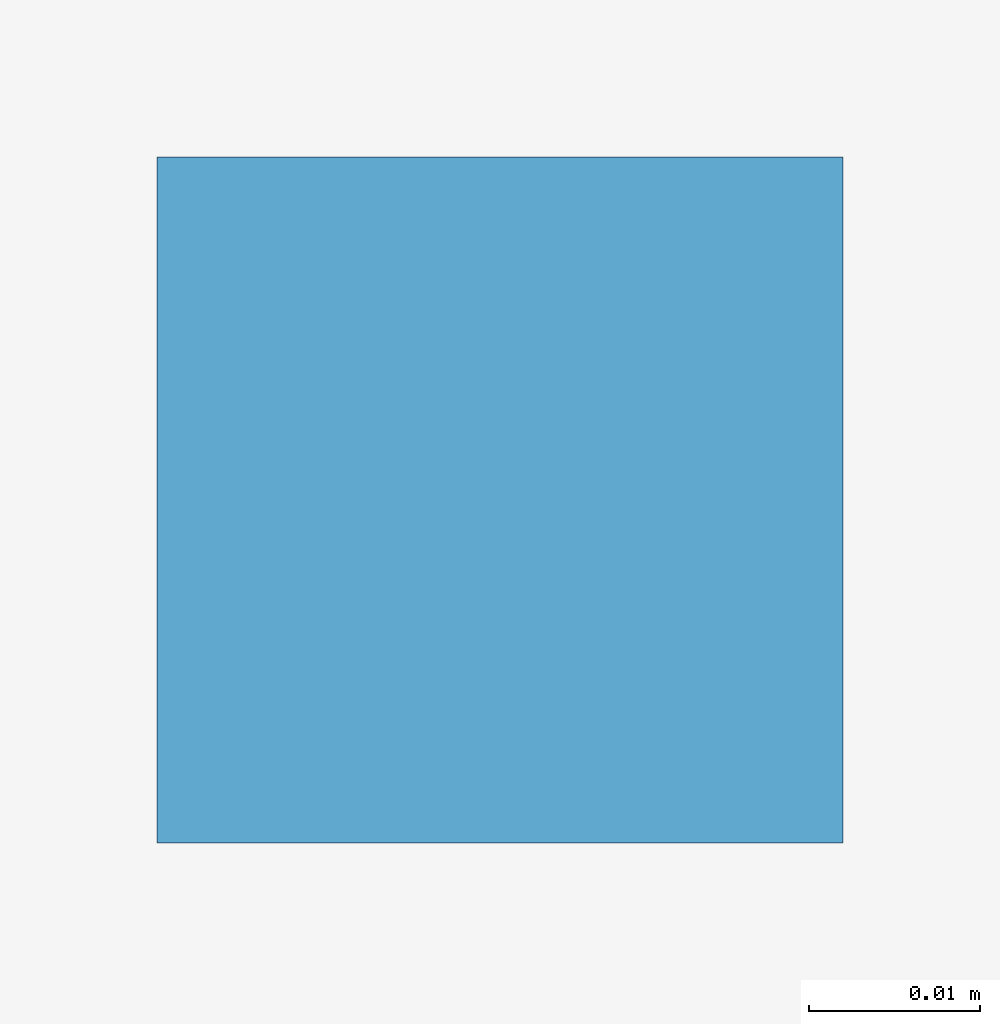
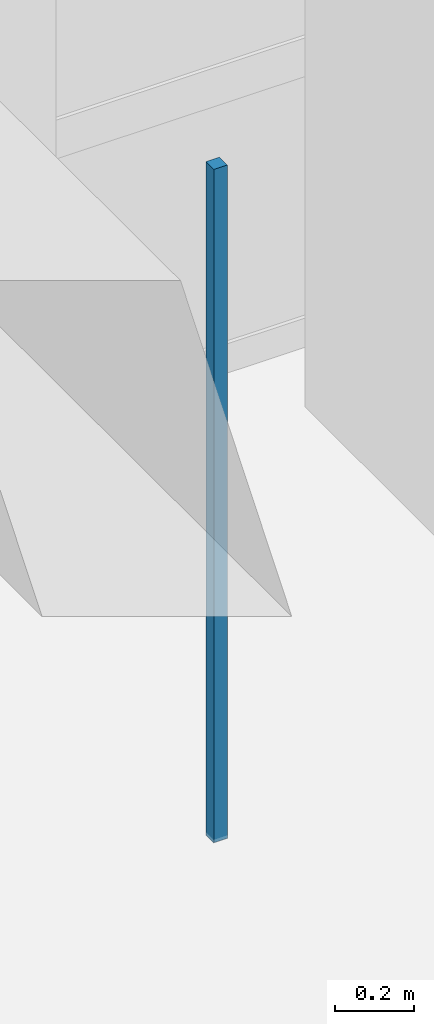
# One storey, part 125 of 167: 1 discrete accessory.
"""IFC4 building model written with IfcOpenShell, lengths in metres."""

from ifc_helpers import new_model, si_unit, direction, frame, origin, origin_2d, place, context, subcontext, project, spatial, rectangle, extrude, material, type_object, element, save


model = new_model("IFC4")

# Units and contexts
model_context = context("Model", 3, precision=1e-05, world=origin(), true_north=direction((0.0, 1.0)))
body_context = subcontext(model_context, "Body", "Model", "MODEL_VIEW")
ifc_project = project(units=[si_unit("LENGTHUNIT", "METRE"), si_unit("AREAUNIT", "SQUARE_METRE"), si_unit("VOLUMEUNIT", "CUBIC_METRE"), si_unit("PLANEANGLEUNIT", "RADIAN"), si_unit("MASSUNIT", "GRAM", prefix="KILO")], contexts=[model_context])

# Site, building, storey
site_placement = place(None, origin())
site = spatial("IfcSite", under=ifc_project, at=site_placement, CompositionType="ELEMENT")
building_placement = place(site_placement, origin())
building = spatial("IfcBuilding", under=site, at=building_placement, Name="Varncliffe General Hospital", CompositionType="ELEMENT")
storey_placement = place(building_placement, origin())
storey = spatial("IfcBuildingStorey", under=building, at=storey_placement, Name="L00", CompositionType="ELEMENT", Elevation=0.0)

# Discrete accessory
ifc_material = material(Name="Powder-coated hospital steel guardrail and handrail", Category="steel")
discrete_accessory_type = type_object("IfcDiscreteAccessoryType", Name="Suspended Ceiling Hanger Bracket CH01", PredefinedType="BRACKET", material=ifc_material)
discrete_accessory_placement = place(storey_placement, frame((126.699951171875, 35.0576171875, 3.18994140625), z_axis=(0.0, 0.0, 1.0), x_axis=(1.0, 0.0, 0.0)))
element("IfcDiscreteAccessory", 1, at=discrete_accessory_placement, inside=storey, type_object=discrete_accessory_type, Name="L00 Suspended Ceiling Hanger 78", PredefinedType="BRACKET", context=body_context, shape_type="SweptSolid", body=[
    extrude(rectangle(XDim=0.0400390625, YDim=0.0400390625, at=origin_2d()), origin(), (0.0, 0.0, 1.0), 2.090087890625),
])

save(model, "model.ifc")
